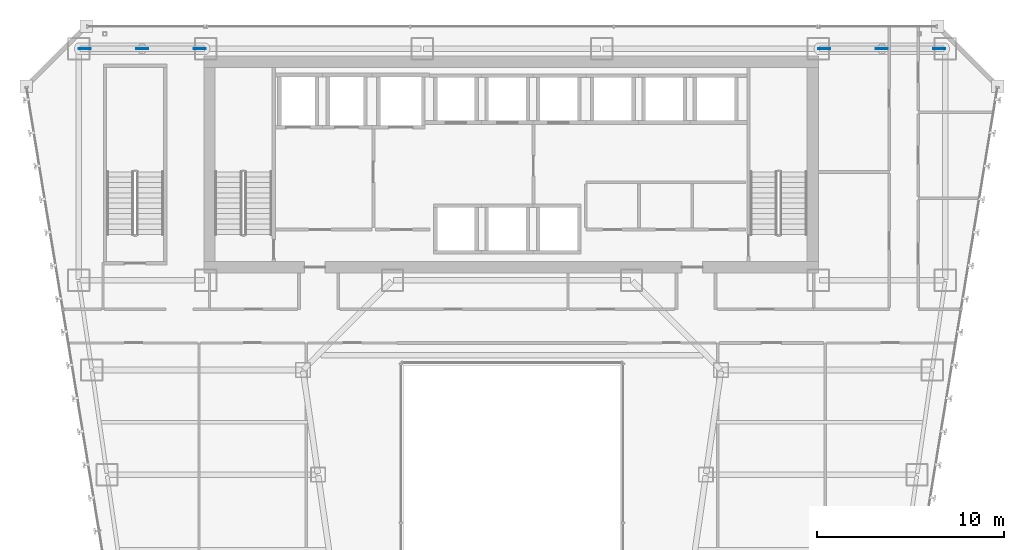
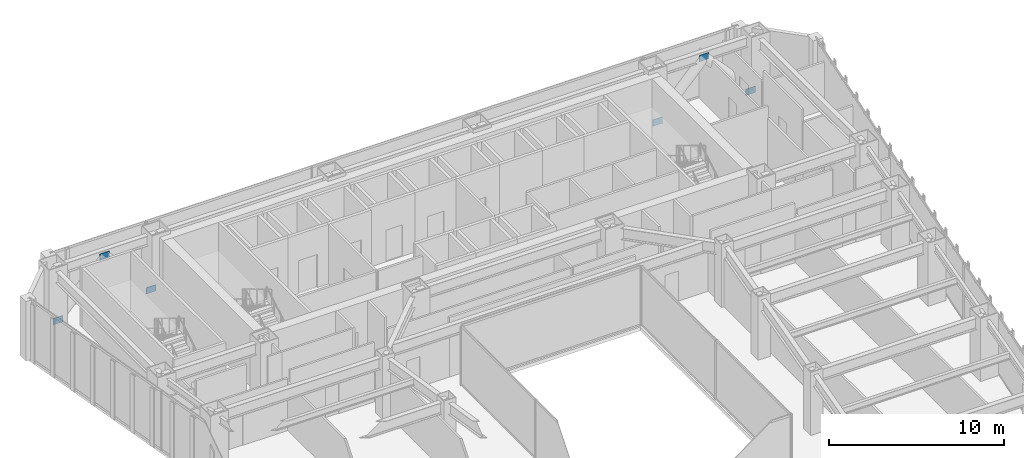
# One storey, part 35 of 47: 6 plates.
"""IFC4 building model written with IfcOpenShell, lengths in metres."""

from ifc_helpers import new_model, si_unit, direction, frame, origin, origin_2d, place, context, subcontext, project, spatial, rectangle, extrude, material, layer, layer_set, type_object, element, save


model = new_model("IFC4")

# Units and contexts
model_context = context("Model", 3, precision=1e-05, world=origin(), true_north=direction((0.0, 1.0)))
body_context = subcontext(model_context, "Body", "Model", "MODEL_VIEW")
ifc_project = project(units=[si_unit("LENGTHUNIT", "METRE"), si_unit("AREAUNIT", "SQUARE_METRE"), si_unit("VOLUMEUNIT", "CUBIC_METRE"), si_unit("PLANEANGLEUNIT", "RADIAN"), si_unit("MASSUNIT", "GRAM", prefix="KILO")], contexts=[model_context])

# Site, building, storey
site_placement = place(None, origin())
site = spatial("IfcSite", under=ifc_project, at=site_placement, CompositionType="ELEMENT")
building_placement = place(site_placement, origin())
building = spatial("IfcBuilding", under=site, at=building_placement, Name="Saevonmaru Cultural Tower", CompositionType="ELEMENT")
storey_placement = place(building_placement, frame((0.0, 0.0, 69.199951171875)))
storey = spatial("IfcBuildingStorey", under=building, at=storey_placement, Name="L14", CompositionType="ELEMENT", Elevation=69.199951171875)

# Plates
ifc_material = material(Name="Steel HSA600 (600 MPa)", Category="steel")
ifc_layer = layer(ifc_material, 0.0400390625, Name="Steel HSA600 (600 MPa)")
ifc_layer_set = layer_set([ifc_layer], Name="Steel HSA600 (600 MPa)")
plate_type = type_object("IfcPlateType", Name="PL-GUSSET-EXT", PredefinedType="USERDEFINED", material=ifc_layer_set)
for number, where, z_axis, x_axis, name in (
    (1, (10.199951171875, 54.800048828125, 3.4501953125), (0.0, 0.0, 1.0), (1.0, 0.0, 0.0), "L14 Perimeter Tube Gusset Plate"),
    (2, (7.1201171875, 54.800048828125, 0.02001953125), (0.0, 0.0, 1.0), (1.0, 0.0, 0.0), "L14 Perimeter Tube Gusset Plate"),
    (3, (13.280029296875, 54.800048828125, 0.02001953125), (0.0, 0.0, 1.0), (1.0, 0.0, 0.0), "L14 Perimeter Tube Gusset Plate"),
    (4, (49.800048828125, 54.800048828125, 3.4501953125), (0.0, 0.0, 1.0), (1.0, 0.0, 0.0), "L14 Perimeter Tube Gusset Plate"),
    (5, (46.719970703125, 54.800048828125, 0.02001953125), (0.0, 0.0, 1.0), (1.0, 0.0, 0.0), "L14 Perimeter Tube Gusset Plate"),
    (6, (52.8798828125, 54.800048828125, 0.02001953125), (0.0, 0.0, 1.0), (1.0, 0.0, 0.0), "L14 Perimeter Tube Gusset Plate"),
):
    element("IfcPlate", number, at=place(storey_placement, frame(where, z_axis=z_axis, x_axis=x_axis)), inside=storey, type_object=plate_type, Name=name, ObjectType="GUSSET_PLATE", PredefinedType="USERDEFINED", context=body_context, shape_type="SweptSolid", body=[
        extrude(rectangle(XDim=0.639892578125, YDim=0.0400390625, at=origin_2d()), origin(), (0.0, 0.0, 1.0), 0.43994140625),
    ])

save(model, "model.ifc")
